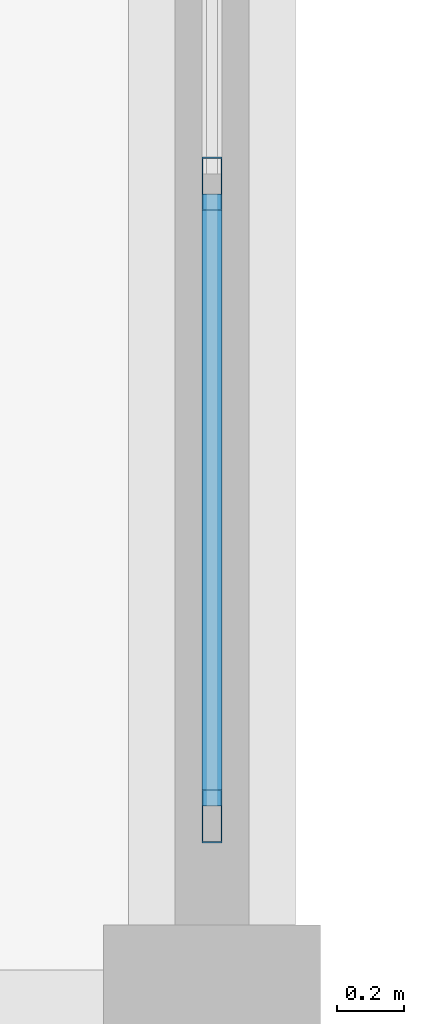
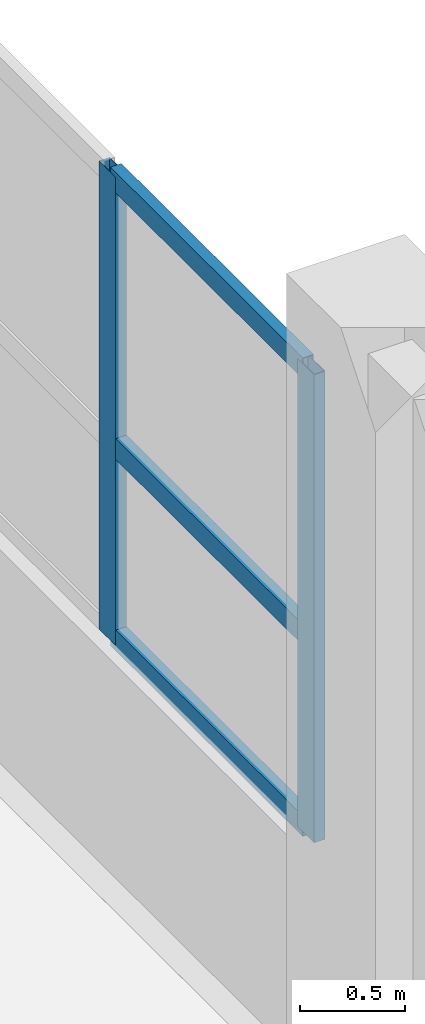
# One storey, part 106 of 140: 5 members, 1 element without a shape of its own.
"""IFC4 building model written with IfcOpenShell, lengths in metres."""

from ifc_helpers import new_model, si_unit, direction, frame, origin, origin_2d, place, context, subcontext, project, spatial, hollow_rectangle, extrude, material, layer, layer_set, material_profile, profile_set, type_object, element, aggregate, save


model = new_model("IFC4")

# Units and contexts
model_context = context("Model", 3, precision=1e-05, world=origin(), true_north=direction((0.0, 1.0)))
body_context = subcontext(model_context, "Body", "Model", "MODEL_VIEW")
ifc_project = project(units=[si_unit("LENGTHUNIT", "METRE"), si_unit("AREAUNIT", "SQUARE_METRE"), si_unit("VOLUMEUNIT", "CUBIC_METRE"), si_unit("PLANEANGLEUNIT", "RADIAN"), si_unit("MASSUNIT", "GRAM", prefix="KILO")], contexts=[model_context])

# Site, building, storey
site_placement = place(None, origin())
site = spatial("IfcSite", under=ifc_project, at=site_placement, CompositionType="ELEMENT")
building_placement = place(site_placement, origin())
building = spatial("IfcBuilding", under=site, at=building_placement, Name="Seraya Terrace Polytechnic", CompositionType="ELEMENT")
storey_placement = place(building_placement, frame((0.0, 0.0, 9.60009765625)))
storey = spatial("IfcBuildingStorey", under=building, at=storey_placement, Name="L02", CompositionType="ELEMENT", Elevation=9.60009765625)

# Curtain wall, members
ifc_material = material(Name="Anodised aluminium EN AW-6063 T6", Category="aluminium")
ifc_layer = layer(ifc_material, 0.179931640625, Name="CW-17")
ifc_layer_set = layer_set([ifc_layer], Name="Anodised aluminium EN AW-6063 T6")
curtain_wall_type = type_object("IfcCurtainWallType", Name="CW-17", PredefinedType="NOTDEFINED", material=ifc_layer_set)
curtain_wall_placement = place(storey_placement, origin())
curtain_wall = element("IfcCurtainWall", 1, at=curtain_wall_placement, inside=storey, type_object=curtain_wall_type, Name="Unitised curtain wall CW-17 (CW-L02-089)", PredefinedType="NOTDEFINED")
ifc_material_profile_1 = material_profile(ifc_material, hollow_rectangle(XDim=0.06005859375, YDim=0.159912109375, WallThickness=0.00341796875, at=origin_2d()), Name="RHS 160x60x3.5")
ifc_profile_set_1 = profile_set([ifc_material_profile_1], Name="Anodised aluminium EN AW-6063 T6")
member_type_1 = type_object("IfcMemberType", Name="CWM-02", PredefinedType="MULLION", material=ifc_profile_set_1)
member_1_placement = place(storey_placement, frame((158.39990234375, 110.639892578125, 1.239990234375), z_axis=(0.0, 0.0, 1.0), x_axis=(1.0, 0.0, 0.0)))
member_1 = element("IfcMember", 2, at=member_1_placement, type_object=member_type_1, Name="CW-17 mullion 3", PredefinedType="MULLION", context=body_context, shape_type="SweptSolid", body=[
    extrude(hollow_rectangle(XDim=0.06005859375, YDim=0.159912109375, WallThickness=0.00341796875, at=origin_2d()), origin(), (0.0, 0.0, 1.0), 2.719970703125),
])
member_2_placement = place(storey_placement, frame((158.39990234375, 108.75, 1.239990234375), z_axis=(0.0, 0.0, 1.0), x_axis=(1.0, 0.0, 0.0)))
member_2 = element("IfcMember", 3, at=member_2_placement, type_object=member_type_1, Name="CW-17 mullion 4", PredefinedType="MULLION", context=body_context, shape_type="SweptSolid", body=[
    extrude(hollow_rectangle(XDim=0.06005859375, YDim=0.159912109375, WallThickness=0.00341796875, at=origin_2d()), origin(), (0.0, 0.0, 1.0), 2.719970703125),
])
ifc_material_profile_2 = material_profile(ifc_material, hollow_rectangle(XDim=0.06005859375, YDim=0.1201171875, WallThickness=0.003173828125, at=origin_2d()), Name="RHS 120x60x3.2")
ifc_profile_set_2 = profile_set([ifc_material_profile_2], Name="Anodised aluminium EN AW-6063 T6")
member_type_2 = type_object("IfcMemberType", Name="CWT-02", PredefinedType="USERDEFINED", material=ifc_profile_set_2)
member_3_placement = place(storey_placement, frame((158.39990234375, 110.610107421875, 1.27001953125), z_axis=(0.0, -1.0, 0.0), x_axis=(1.0, 0.0, 0.0)))
member_3 = element("IfcMember", 4, at=member_3_placement, type_object=member_type_2, Name="CW-17 transom 3.1", ObjectType="TRANSOM", PredefinedType="USERDEFINED", context=body_context, shape_type="SweptSolid", body=[
    extrude(hollow_rectangle(XDim=0.06005859375, YDim=0.1201171875, WallThickness=0.003173828125, at=origin_2d()), origin(), (0.0, 0.0, 1.0), 1.830078125),
])
member_4_placement = place(storey_placement, frame((158.39990234375, 110.610107421875, 2.38232421875), z_axis=(0.0, -1.0, 0.0), x_axis=(1.0, 0.0, 0.0)))
member_4 = element("IfcMember", 5, at=member_4_placement, type_object=member_type_2, Name="CW-17 transom 3.2", ObjectType="TRANSOM", PredefinedType="USERDEFINED", context=body_context, shape_type="SweptSolid", body=[
    extrude(hollow_rectangle(XDim=0.06005859375, YDim=0.1201171875, WallThickness=0.003173828125, at=origin_2d()), origin(), (0.0, 0.0, 1.0), 1.830078125),
])
member_5_placement = place(storey_placement, frame((158.39990234375, 110.610107421875, 3.929931640625), z_axis=(0.0, -1.0, 0.0), x_axis=(1.0, 0.0, 0.0)))
member_5 = element("IfcMember", 6, at=member_5_placement, type_object=member_type_2, Name="CW-17 transom 3.3", ObjectType="TRANSOM", PredefinedType="USERDEFINED", context=body_context, shape_type="SweptSolid", body=[
    extrude(hollow_rectangle(XDim=0.06005859375, YDim=0.1201171875, WallThickness=0.003173828125, at=origin_2d()), origin(), (0.0, 0.0, 1.0), 1.830078125),
])
aggregate(curtain_wall, [member_1, member_2, member_3, member_4, member_5])

save(model, "model.ifc")
